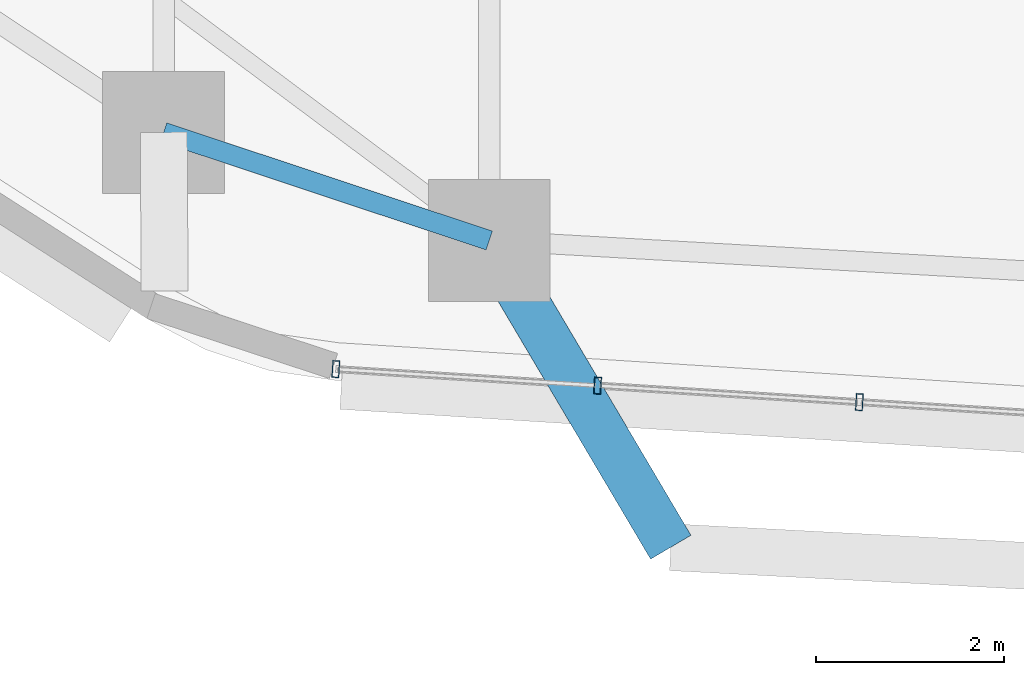
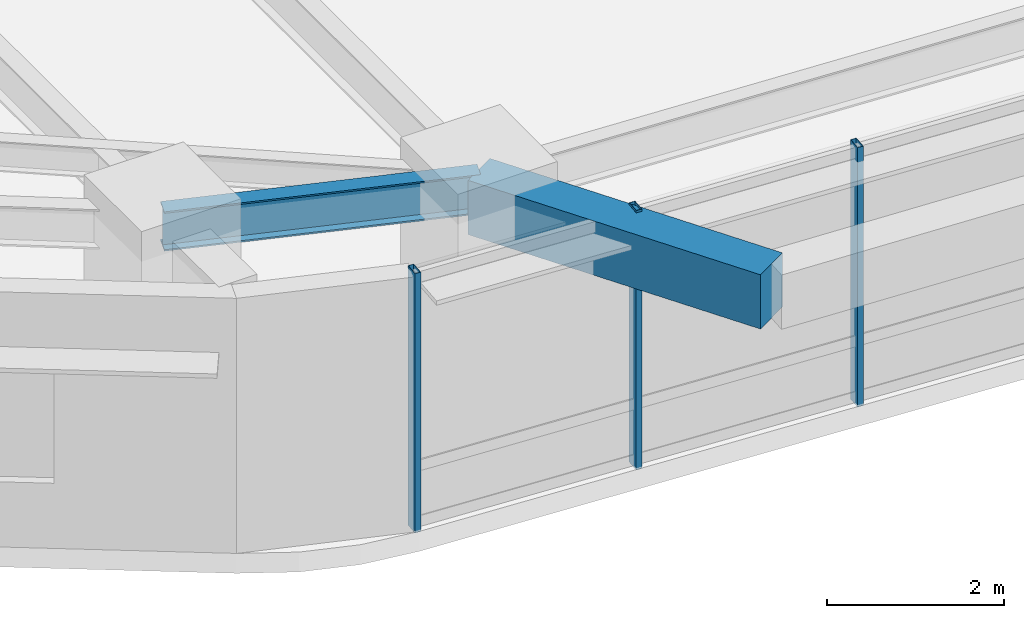
# One storey, part 2 of 13: 3 members, 2 beams, 1 element without a shape of its own.
"""IFC4 building model written with IfcOpenShell, lengths in metres."""

from ifc_helpers import new_model, si_unit, direction, frame, origin, origin_2d, place, context, subcontext, project, spatial, rectangle, hollow_rectangle, i_section, extrude, material, material_profile, profile_set, type_object, element, aggregate, save


model = new_model("IFC4")

# Units and contexts
model_context = context("Model", 3, precision=1e-05, world=origin(), true_north=direction((0.0, 1.0)))
body_context = subcontext(model_context, "Body", "Model", "MODEL_VIEW")
ifc_project = project(units=[si_unit("LENGTHUNIT", "METRE"), si_unit("AREAUNIT", "SQUARE_METRE"), si_unit("VOLUMEUNIT", "CUBIC_METRE"), si_unit("PLANEANGLEUNIT", "RADIAN"), si_unit("MASSUNIT", "GRAM", prefix="KILO")], contexts=[model_context])

# Site, building, storey
site_placement = place(None, origin())
site = spatial("IfcSite", under=ifc_project, at=site_placement, CompositionType="ELEMENT")
building_placement = place(site_placement, origin())
building = spatial("IfcBuilding", under=site, at=building_placement, Name="Zulverin Broadcast Headquarters", CompositionType="ELEMENT")
storey_placement = place(building_placement, frame((0.0, 0.0, 70.60009765625)))
storey = spatial("IfcBuildingStorey", under=building, at=storey_placement, Name="L17", CompositionType="ELEMENT", Elevation=70.60009765625)

# Beams
ifc_material_1 = material(Name="Concrete C40/50", Category="concrete")
ifc_material_profile_1 = material_profile(ifc_material_1, rectangle(XDim=0.5, YDim=0.75, at=origin_2d()), Name="Concrete C40/50", Category="concrete")
ifc_profile_set_1 = profile_set([ifc_material_profile_1], Name="Concrete C40/50")
beam_type_1 = type_object("IfcBeamType", Name="BM-RC-500x750", PredefinedType="BEAM", material=ifc_profile_set_1)
beam_1_placement = place(storey_placement, frame((29.79638671875, 3.922119140625, 3.14990234375), z_axis=(0.509317980618, -0.860578407014, 0.0), x_axis=(0.860578407014, 0.509317980618, 0.0)))
element("IfcBeam", 1, at=beam_1_placement, inside=storey, type_object=beam_type_1, Name="L18 Balcony Column-Framed Cantilever BAL_S-1", PredefinedType="BEAM", context=body_context, shape_type="SweptSolid", body=[
    extrude(rectangle(XDim=0.5, YDim=0.75, at=origin_2d()), origin(), (0.0, 0.0, 1.0), 3.7998046875),
])
ifc_material_2 = material(Name="Structural steel S355JR", Category="steel")
ifc_material_profile_2 = material_profile(ifc_material_2, i_section(OverallWidth=0.2119140625, OverallDepth=0.54443359375, WebThickness=0.0126953125, FlangeThickness=0.021240234375, at=origin_2d()), Name="Structural steel S355JR", Category="steel")
ifc_profile_set_2 = profile_set([ifc_material_profile_2], Name="Structural steel S355JR")
beam_type_2 = type_object("IfcBeamType", Name="BM-UB-533", PredefinedType="SPANDREL", material=ifc_profile_set_2)
beam_2_placement = place(storey_placement, frame((26.3251953125, 5.075927734375, 3.252685546875), z_axis=(0.948949931395, -0.315426739047, 0.0), x_axis=(0.315426739047, 0.948949931395, 0.0)))
element("IfcBeam", 2, at=beam_2_placement, inside=storey, type_object=beam_type_2, Name="L17 Perimeter Spandrel Beam SP-16", PredefinedType="SPANDREL", context=body_context, shape_type="SweptSolid", body=[
    extrude(i_section(OverallWidth=0.2119140625, OverallDepth=0.54443359375, WebThickness=0.0126953125, FlangeThickness=0.021240234375, at=origin_2d()), origin(), (0.0, 0.0, 1.0), 3.657958984375),
])

# Curtain wall, members
ifc_material_3 = material(Name="Low-zone ribbon unitised curtain wall", Category="aluminium")
curtain_wall_type = type_object("IfcCurtainWallType", Name="CW-TWR-LOW", PredefinedType="USERDEFINED", material=ifc_material_3)
curtain_wall_placement = place(storey_placement, origin())
curtain_wall = element("IfcCurtainWall", 3, at=curtain_wall_placement, inside=storey, type_object=curtain_wall_type, Name="L17 Unitised Curtain Wall CW-L17-E1", ObjectType="UNITISED CURTAIN WALL", PredefinedType="USERDEFINED")
ifc_material_4 = material(Name="Anodized pale-metal aluminium alloy 6063-T6", Category="aluminium")
ifc_material_profile_3 = material_profile(ifc_material_4, hollow_rectangle(XDim=0.074951171875, YDim=0.179931640625, WallThickness=0.0048828125, at=origin_2d()), Name="Anodized pale-metal aluminium alloy 6063-T6", Category="aluminium")
ifc_profile_set_3 = profile_set([ifc_material_profile_3], Name="Anodized pale-metal aluminium alloy 6063-T6")
member_type = type_object("IfcMemberType", Name="CW-MUL-180", PredefinedType="MULLION", material=ifc_profile_set_3)
member_1_placement = place(storey_placement, frame((28.16015625, 2.55126953125, -0.030029296875), z_axis=(0.0, 0.0, 1.0), x_axis=(0.998017182581, -0.062942062821, 0.0)))
member_1 = element("IfcMember", 4, at=member_1_placement, type_object=member_type, Name="CW-L17-E1 Mullion 00", PredefinedType="MULLION", context=body_context, shape_type="SweptSolid", body=[
    extrude(hollow_rectangle(XDim=0.074951171875, YDim=0.179931640625, WallThickness=0.0048828125, at=origin_2d()), origin(), (0.0, 0.0, 1.0), 3.5849609375),
])
member_2_placement = place(storey_placement, frame((30.951171875, 2.375, -0.030029296875), z_axis=(0.0, 0.0, 1.0), x_axis=(0.998017182581, -0.062942062821, 0.0)))
member_2 = element("IfcMember", 5, at=member_2_placement, type_object=member_type, Name="CW-L17-E1 Mullion 01", PredefinedType="MULLION", context=body_context, shape_type="SweptSolid", body=[
    extrude(hollow_rectangle(XDim=0.074951171875, YDim=0.179931640625, WallThickness=0.0048828125, at=origin_2d()), origin(), (0.0, 0.0, 1.0), 3.5849609375),
])
member_3_placement = place(storey_placement, frame((33.742431640625, 2.19921875, -0.030029296875), z_axis=(0.0, 0.0, 1.0), x_axis=(0.998017182581, -0.062942062821, 0.0)))
member_3 = element("IfcMember", 6, at=member_3_placement, type_object=member_type, Name="CW-L17-E1 Mullion 02", PredefinedType="MULLION", context=body_context, shape_type="SweptSolid", body=[
    extrude(hollow_rectangle(XDim=0.074951171875, YDim=0.179931640625, WallThickness=0.0048828125, at=origin_2d()), origin(), (0.0, 0.0, 1.0), 3.5849609375),
])
aggregate(curtain_wall, [member_1, member_2, member_3])

save(model, "model.ifc")
